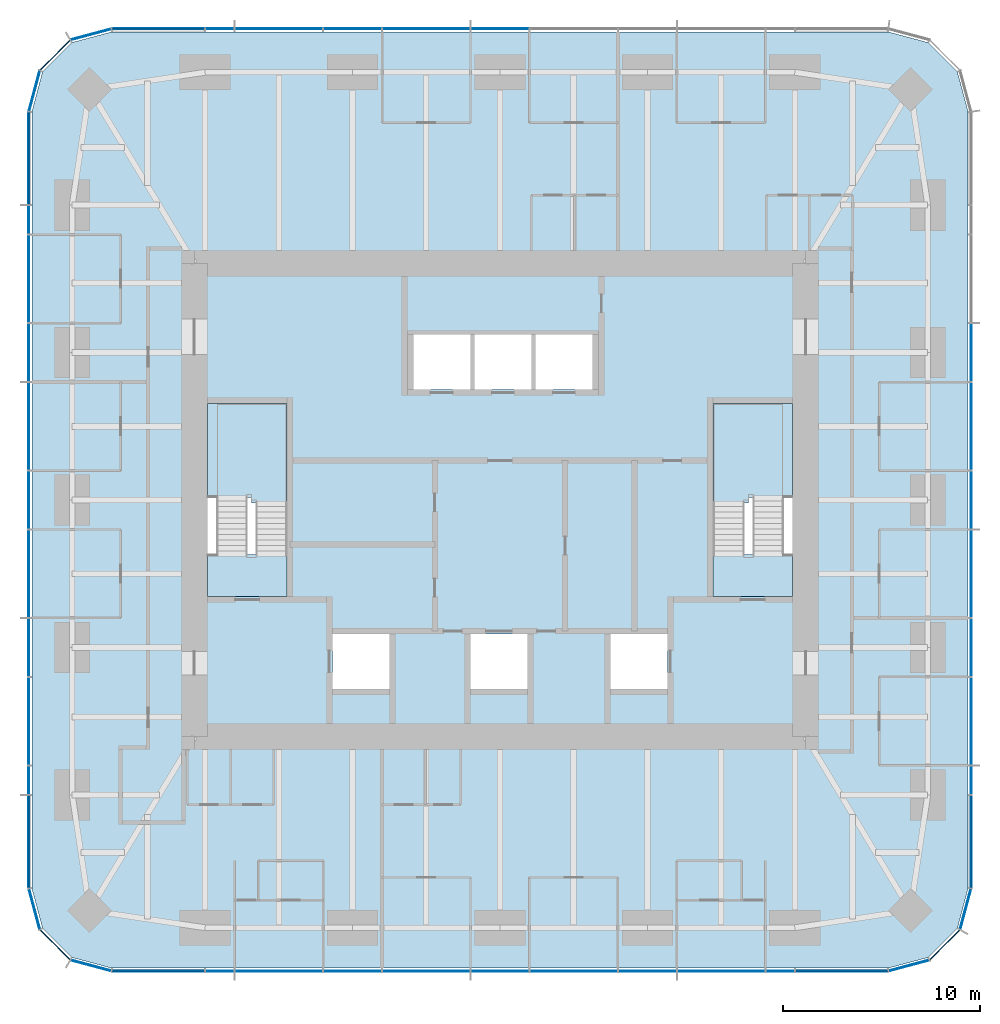
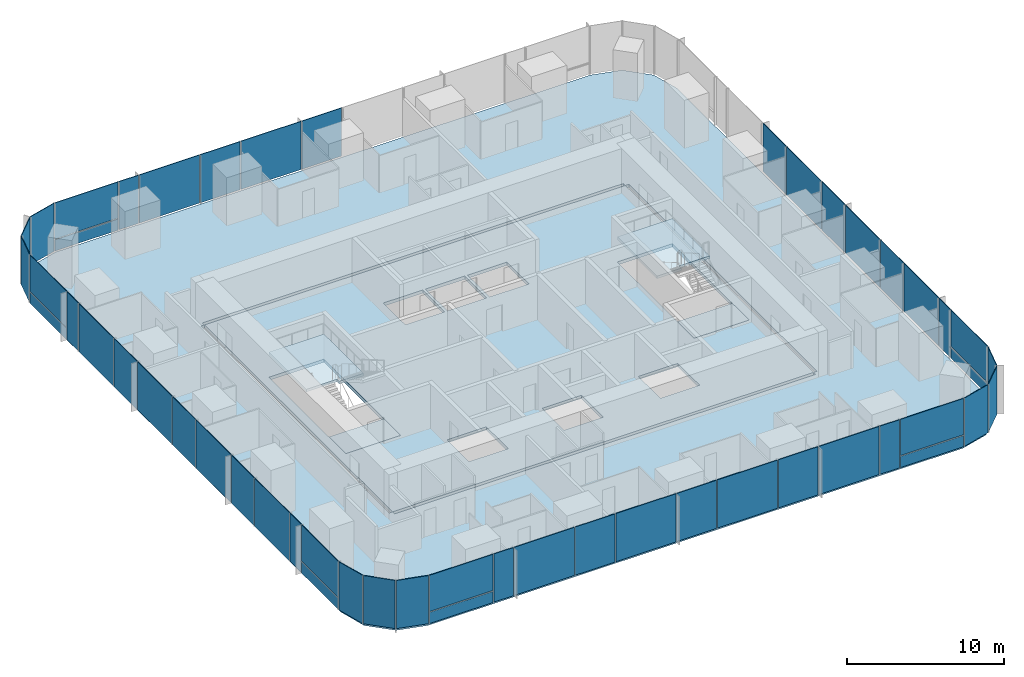
# One storey, part 7 of 12: 51 plates, 6 slabs, 9 elements without a shape of their own.
"""IFC4 building model written with IfcOpenShell, lengths in metres."""

from ifc_helpers import new_model, si_unit, direction, frame, origin, origin_2d, place, context, subcontext, project, spatial, polyline, rectangle, outline, extrude, material, layer, layer_set, type_object, element, aggregate, save


model = new_model("IFC4")

# Units and contexts
model_context = context("Model", 3, precision=1e-05, world=origin(), true_north=direction((0.0, 1.0)))
body_context = subcontext(model_context, "Body", "Model", "MODEL_VIEW")
ifc_project = project(units=[si_unit("LENGTHUNIT", "METRE"), si_unit("AREAUNIT", "SQUARE_METRE"), si_unit("VOLUMEUNIT", "CUBIC_METRE"), si_unit("PLANEANGLEUNIT", "RADIAN"), si_unit("MASSUNIT", "GRAM", prefix="KILO")], contexts=[model_context])

# Site, building, storey
site_placement = place(None, origin())
site = spatial("IfcSite", under=ifc_project, at=site_placement, CompositionType="ELEMENT")
building_placement = place(site_placement, origin())
building = spatial("IfcBuilding", under=site, at=building_placement, Name="Khuree Lantern Residences", CompositionType="ELEMENT")
storey_placement = place(building_placement, frame((0.0, 0.0, 293.25)))
storey = spatial("IfcBuildingStorey", under=building, at=storey_placement, Name="L73", CompositionType="ELEMENT", Elevation=293.25)

# Slab
ifc_material_1 = material(Name="Concrete C35/45", Category="concrete")
ifc_layer_1 = layer(ifc_material_1, 0.25)
ifc_layer_set_1 = layer_set([ifc_layer_1], Name="CFL250 CORE FLOOR SLAB 250")
slab_type_1 = type_object("IfcSlabType", Name="CFL250 CORE FLOOR SLAB 250", PredefinedType="FLOOR", material=ifc_layer_set_1)
slab_1_placement = place(storey_placement, frame((0.0, 0.0, -0.25)))
element("IfcSlab", 1, at=slab_1_placement, inside=storey, type_object=slab_type_1, Name="Core floor L73", PredefinedType="FLOOR", context=body_context, shape_type="SweptSolid", body=[
    extrude(outline(polyline([(-15.5, -12.0), (-15.5, 12.0), (15.5, 12.0), (15.5, -12.0), (-15.5, -12.0)]), holes=[polyline([(10.800048828125, 4.89990234375), (10.800048828125, -4.89990234375), (14.85009765625, -4.89990234375), (14.85009765625, 4.89990234375), (10.800048828125, 4.89990234375)]), polyline([(5.60009765625, -6.800048828125), (5.60009765625, -9.60009765625), (8.5, -9.60009765625), (8.5, -6.800048828125), (5.60009765625, -6.800048828125)]), polyline([(1.800048828125, 8.39990234375), (1.800048828125, 5.60009765625), (4.699951171875, 5.60009765625), (4.699951171875, 8.39990234375), (1.800048828125, 8.39990234375)]), polyline([(-1.300048828125, 8.39990234375), (-1.300048828125, 5.60009765625), (1.60009765625, 5.60009765625), (1.60009765625, 8.39990234375), (-1.300048828125, 8.39990234375)]), polyline([(-1.5, -6.800048828125), (-1.5, -9.60009765625), (1.39990234375, -9.60009765625), (1.39990234375, -6.800048828125), (-1.5, -6.800048828125)]), polyline([(-4.39990234375, 8.39990234375), (-4.39990234375, 5.60009765625), (-1.5, 5.60009765625), (-1.5, 8.39990234375), (-4.39990234375, 8.39990234375)]), polyline([(-8.5, -6.800048828125), (-8.5, -9.60009765625), (-5.60009765625, -9.60009765625), (-5.60009765625, -6.800048828125), (-8.5, -6.800048828125)]), polyline([(-14.85009765625, 4.89990234375), (-14.85009765625, -4.89990234375), (-10.800048828125, -4.89990234375), (-10.800048828125, 4.89990234375), (-14.85009765625, 4.89990234375)])]), origin(), (0.0, 0.0, 1.0), 0.25),
])

# Curtain wall, plates
ifc_material_2 = material(Name="Bronze anodised aluminium", Category="aluminium")
curtain_wall_type_1 = type_object("IfcCurtainWallType", Name="CW-T2 TOWER CORNER CURTAIN WALL", PredefinedType="USERDEFINED", material=ifc_material_2)
curtain_wall_1_placement = place(storey_placement, origin())
curtain_wall_1 = element("IfcCurtainWall", 2, at=curtain_wall_1_placement, inside=storey, type_object=curtain_wall_type_1, Name="L73 SOUTH-EAST CORNER CURTAIN WALL", ObjectType="Faceted corner curtain wall", PredefinedType="USERDEFINED")
ifc_material_3 = material(Name="Bronze tinted triple glazing", Category="glass")
ifc_layer_2 = layer(ifc_material_3, 0.048095703125)
ifc_layer_set_2 = layer_set([ifc_layer_2], Name="FACET PANEL P4")
plate_type_1 = type_object("IfcPlateType", Name="FACET PANEL P4", PredefinedType="CURTAIN_PANEL", material=ifc_layer_set_2)
plate_1_placement = place(storey_placement, frame((20.748046875, -23.619140625, 0.0), z_axis=(0.0, 0.0, 1.0), x_axis=(0.965925861257, 0.2588189146, 0.0)))
plate_1 = element("IfcPlate", 3, at=plate_1_placement, type_object=plate_type_1, Name="L73 SOUTH-EAST CORNER PANEL 1.1", PredefinedType="CURTAIN_PANEL", context=body_context, shape_type="SweptSolid", body=[
    extrude(rectangle(XDim=2.09814453125, YDim=0.048095703125, at=origin_2d()), origin(), (0.0, 0.0, 1.0), 3.75),
])
plate_2_placement = place(storey_placement, frame((22.568603515625, -22.568603515625, 0.0), z_axis=(0.0, 0.0, 1.0), x_axis=(0.707106781187, 0.707106781187, 0.0)))
plate_2 = element("IfcPlate", 4, at=plate_2_placement, type_object=plate_type_1, Name="L73 SOUTH-EAST CORNER PANEL 2.1", PredefinedType="CURTAIN_PANEL", context=body_context, shape_type="SweptSolid", body=[
    extrude(rectangle(XDim=2.093994140625, YDim=0.048095703125, at=origin_2d()), origin(), (0.0, 0.0, 1.0), 3.75),
])
plate_3_placement = place(storey_placement, frame((23.619140625, -20.748046875, 0.0), z_axis=(0.0, 0.0, 1.0), x_axis=(0.2588189146, 0.965925861257, 0.0)))
plate_3 = element("IfcPlate", 5, at=plate_3_placement, type_object=plate_type_1, Name="L73 SOUTH-EAST CORNER PANEL 3.1", PredefinedType="CURTAIN_PANEL", context=body_context, shape_type="SweptSolid", body=[
    extrude(rectangle(XDim=2.09814453125, YDim=0.048095703125, at=origin_2d()), origin(), (0.0, 0.0, 1.0), 3.75),
])
aggregate(curtain_wall_1, [plate_1, plate_2, plate_3])

curtain_wall_2_placement = place(storey_placement, origin())
curtain_wall_2 = element("IfcCurtainWall", 6, at=curtain_wall_2_placement, inside=storey, type_object=curtain_wall_type_1, Name="L73 NORTH-WEST CORNER CURTAIN WALL", ObjectType="Faceted corner curtain wall", PredefinedType="USERDEFINED")
plate_4_placement = place(storey_placement, frame((-20.748046875, 23.619140625, 0.0), z_axis=(0.0, 0.0, 1.0), x_axis=(-0.965925861257, -0.2588189146, 0.0)))
plate_4 = element("IfcPlate", 7, at=plate_4_placement, type_object=plate_type_1, Name="L73 NORTH-WEST CORNER PANEL 29.1", PredefinedType="CURTAIN_PANEL", context=body_context, shape_type="SweptSolid", body=[
    extrude(rectangle(XDim=2.09814453125, YDim=0.048095703125, at=origin_2d()), origin(), (0.0, 0.0, 1.0), 3.75),
])
plate_5_placement = place(storey_placement, frame((-22.568603515625, 22.568603515625, 0.0), z_axis=(0.0, 0.0, 1.0), x_axis=(-0.707106781187, -0.707106781187, 0.0)))
plate_5 = element("IfcPlate", 8, at=plate_5_placement, type_object=plate_type_1, Name="L73 NORTH-WEST CORNER PANEL 30.1", PredefinedType="CURTAIN_PANEL", context=body_context, shape_type="SweptSolid", body=[
    extrude(rectangle(XDim=2.093994140625, YDim=0.048095703125, at=origin_2d()), origin(), (0.0, 0.0, 1.0), 3.75),
])
plate_6_placement = place(storey_placement, frame((-23.619140625, 20.748046875, 0.0), z_axis=(0.0, 0.0, 1.0), x_axis=(-0.2588189146, -0.965925861257, 0.0)))
plate_6 = element("IfcPlate", 9, at=plate_6_placement, type_object=plate_type_1, Name="L73 NORTH-WEST CORNER PANEL 31.1", PredefinedType="CURTAIN_PANEL", context=body_context, shape_type="SweptSolid", body=[
    extrude(rectangle(XDim=2.09814453125, YDim=0.048095703125, at=origin_2d()), origin(), (0.0, 0.0, 1.0), 3.75),
])
aggregate(curtain_wall_2, [plate_4, plate_5, plate_6])

curtain_wall_3_placement = place(storey_placement, origin())
curtain_wall_3 = element("IfcCurtainWall", 10, at=curtain_wall_3_placement, inside=storey, type_object=curtain_wall_type_1, Name="L73 SOUTH-WEST CORNER CURTAIN WALL", ObjectType="Faceted corner curtain wall", PredefinedType="USERDEFINED")
plate_7_placement = place(storey_placement, frame((-23.619140625, -20.748046875, 0.0), z_axis=(0.0, 0.0, 1.0), x_axis=(0.2588189146, -0.965925861257, 0.0)))
plate_7 = element("IfcPlate", 11, at=plate_7_placement, type_object=plate_type_1, Name="L73 SOUTH-WEST CORNER PANEL 43.1", PredefinedType="CURTAIN_PANEL", context=body_context, shape_type="SweptSolid", body=[
    extrude(rectangle(XDim=2.09814453125, YDim=0.048095703125, at=origin_2d()), origin(), (0.0, 0.0, 1.0), 3.75),
])
plate_8_placement = place(storey_placement, frame((-22.568603515625, -22.568603515625, 0.0), z_axis=(0.0, 0.0, 1.0), x_axis=(0.707106781187, -0.707106781187, 0.0)))
plate_8 = element("IfcPlate", 12, at=plate_8_placement, type_object=plate_type_1, Name="L73 SOUTH-WEST CORNER PANEL 44.1", PredefinedType="CURTAIN_PANEL", context=body_context, shape_type="SweptSolid", body=[
    extrude(rectangle(XDim=2.093994140625, YDim=0.048095703125, at=origin_2d()), origin(), (0.0, 0.0, 1.0), 3.75),
])
plate_9_placement = place(storey_placement, frame((-20.748046875, -23.619140625, 0.0), z_axis=(0.0, 0.0, 1.0), x_axis=(0.965925861257, -0.2588189146, 0.0)))
plate_9 = element("IfcPlate", 13, at=plate_9_placement, type_object=plate_type_1, Name="L73 SOUTH-WEST CORNER PANEL 45.1", PredefinedType="CURTAIN_PANEL", context=body_context, shape_type="SweptSolid", body=[
    extrude(rectangle(XDim=2.09814453125, YDim=0.048095703125, at=origin_2d()), origin(), (0.0, 0.0, 1.0), 3.75),
])
aggregate(curtain_wall_3, [plate_7, plate_8, plate_9])

curtain_wall_type_2 = type_object("IfcCurtainWallType", Name="CW-T1 TOWER FACE CURTAIN WALL", PredefinedType="USERDEFINED", material=ifc_material_2)
curtain_wall_4_placement = place(storey_placement, origin())
curtain_wall_4 = element("IfcCurtainWall", 14, at=curtain_wall_4_placement, inside=storey, type_object=curtain_wall_type_2, Name="L73 EAST FACE CURTAIN WALL", ObjectType="Stick-built curtain wall", PredefinedType="USERDEFINED")
ifc_material_4 = material(Name="Bronze tinted triple glazing with a ceramic-fritted spandrel band", Category="glass")
ifc_layer_3 = layer(ifc_material_4, 0.048095703125)
ifc_layer_set_3 = layer_set([ifc_layer_3], Name="FIXED LIGHT PANEL P11")
plate_type_2 = type_object("IfcPlateType", Name="FIXED LIGHT PANEL P11", PredefinedType="CURTAIN_PANEL", material=ifc_layer_set_3)
plate_10_placement = place(storey_placement, frame((23.89990234375, -11.219970703125, 0.0), z_axis=(0.0, 0.0, 1.0), x_axis=(0.0, 1.0, 0.0)))
plate_10 = element("IfcPlate", 15, at=plate_10_placement, type_object=plate_type_2, Name="L73 EAST FACE PANEL 6.1", PredefinedType="CURTAIN_PANEL", context=body_context, shape_type="SweptSolid", body=[
    extrude(rectangle(XDim=4.423095703125, YDim=0.048095703125, at=origin_2d()), origin(), (0.0, 0.0, 1.0), 3.75),
])
plate_11_placement = place(storey_placement, frame((23.89990234375, -3.739990234375, 0.0), z_axis=(0.0, 0.0, 1.0), x_axis=(0.0, 1.0, 0.0)))
plate_11 = element("IfcPlate", 16, at=plate_11_placement, type_object=plate_type_2, Name="L73 EAST FACE PANEL 8.1", PredefinedType="CURTAIN_PANEL", context=body_context, shape_type="SweptSolid", body=[
    extrude(rectangle(XDim=4.423095703125, YDim=0.048095703125, at=origin_2d()), origin(), (0.0, 0.0, 1.0), 3.75),
])
plate_12_placement = place(storey_placement, frame((23.89990234375, 3.739990234375, 0.0), z_axis=(0.0, 0.0, 1.0), x_axis=(0.0, 1.0, 0.0)))
plate_12 = element("IfcPlate", 17, at=plate_12_placement, type_object=plate_type_2, Name="L73 EAST FACE PANEL 10.1", PredefinedType="CURTAIN_PANEL", context=body_context, shape_type="SweptSolid", body=[
    extrude(rectangle(XDim=4.423095703125, YDim=0.048095703125, at=origin_2d()), origin(), (0.0, 0.0, 1.0), 3.75),
])

curtain_wall_5_placement = place(storey_placement, origin())
curtain_wall_5 = element("IfcCurtainWall", 18, at=curtain_wall_5_placement, inside=storey, type_object=curtain_wall_type_2, Name="L73 NORTH FACE CURTAIN WALL", ObjectType="Stick-built curtain wall", PredefinedType="USERDEFINED")
plate_13_placement = place(storey_placement, frame((-3.739990234375, 23.89990234375, 0.0), z_axis=(0.0, 0.0, 1.0), x_axis=(-1.0, 0.0, 0.0)))
plate_13 = element("IfcPlate", 19, at=plate_13_placement, type_object=plate_type_2, Name="L73 NORTH FACE PANEL 24.1", PredefinedType="CURTAIN_PANEL", context=body_context, shape_type="SweptSolid", body=[
    extrude(rectangle(XDim=4.423095703125, YDim=0.048095703125, at=origin_2d()), origin(), (0.0, 0.0, 1.0), 3.75),
])
plate_14_placement = place(storey_placement, frame((-11.219970703125, 23.89990234375, 0.0), z_axis=(0.0, 0.0, 1.0), x_axis=(-1.0, 0.0, 0.0)))
plate_14 = element("IfcPlate", 20, at=plate_14_placement, type_object=plate_type_2, Name="L73 NORTH FACE PANEL 26.1", PredefinedType="CURTAIN_PANEL", context=body_context, shape_type="SweptSolid", body=[
    extrude(rectangle(XDim=4.423095703125, YDim=0.048095703125, at=origin_2d()), origin(), (0.0, 0.0, 1.0), 3.75),
])

curtain_wall_6_placement = place(storey_placement, origin())
curtain_wall_6 = element("IfcCurtainWall", 21, at=curtain_wall_6_placement, inside=storey, type_object=curtain_wall_type_2, Name="L73 WEST FACE CURTAIN WALL", ObjectType="Stick-built curtain wall", PredefinedType="USERDEFINED")
plate_15_placement = place(storey_placement, frame((-23.89990234375, 11.219970703125, 0.0), z_axis=(0.0, 0.0, 1.0), x_axis=(0.0, -1.0, 0.0)))
plate_15 = element("IfcPlate", 22, at=plate_15_placement, type_object=plate_type_2, Name="L73 WEST FACE PANEL 34.1", PredefinedType="CURTAIN_PANEL", context=body_context, shape_type="SweptSolid", body=[
    extrude(rectangle(XDim=4.423095703125, YDim=0.048095703125, at=origin_2d()), origin(), (0.0, 0.0, 1.0), 3.75),
])
plate_16_placement = place(storey_placement, frame((-23.89990234375, 3.739990234375, 0.0), z_axis=(0.0, 0.0, 1.0), x_axis=(0.0, -1.0, 0.0)))
plate_16 = element("IfcPlate", 23, at=plate_16_placement, type_object=plate_type_2, Name="L73 WEST FACE PANEL 36.1", PredefinedType="CURTAIN_PANEL", context=body_context, shape_type="SweptSolid", body=[
    extrude(rectangle(XDim=4.423095703125, YDim=0.048095703125, at=origin_2d()), origin(), (0.0, 0.0, 1.0), 3.75),
])
plate_17_placement = place(storey_placement, frame((-23.89990234375, -3.739990234375, 0.0), z_axis=(0.0, 0.0, 1.0), x_axis=(0.0, -1.0, 0.0)))
plate_17 = element("IfcPlate", 24, at=plate_17_placement, type_object=plate_type_2, Name="L73 WEST FACE PANEL 38.1", PredefinedType="CURTAIN_PANEL", context=body_context, shape_type="SweptSolid", body=[
    extrude(rectangle(XDim=4.423095703125, YDim=0.048095703125, at=origin_2d()), origin(), (0.0, 0.0, 1.0), 3.75),
])
plate_18_placement = place(storey_placement, frame((-23.89990234375, -11.219970703125, 0.0), z_axis=(0.0, 0.0, 1.0), x_axis=(0.0, -1.0, 0.0)))
plate_18 = element("IfcPlate", 25, at=plate_18_placement, type_object=plate_type_2, Name="L73 WEST FACE PANEL 40.1", PredefinedType="CURTAIN_PANEL", context=body_context, shape_type="SweptSolid", body=[
    extrude(rectangle(XDim=4.423095703125, YDim=0.048095703125, at=origin_2d()), origin(), (0.0, 0.0, 1.0), 3.75),
])

curtain_wall_7_placement = place(storey_placement, origin())
curtain_wall_7 = element("IfcCurtainWall", 26, at=curtain_wall_7_placement, inside=storey, type_object=curtain_wall_type_2, Name="L73 SOUTH FACE CURTAIN WALL", ObjectType="Stick-built curtain wall", PredefinedType="USERDEFINED")
plate_19_placement = place(storey_placement, frame((-11.219970703125, -23.89990234375, 0.0), z_axis=(0.0, 0.0, 1.0), x_axis=(1.0, 0.0, 0.0)))
plate_19 = element("IfcPlate", 27, at=plate_19_placement, type_object=plate_type_2, Name="L73 SOUTH FACE PANEL 48.1", PredefinedType="CURTAIN_PANEL", context=body_context, shape_type="SweptSolid", body=[
    extrude(rectangle(XDim=4.423095703125, YDim=0.048095703125, at=origin_2d()), origin(), (0.0, 0.0, 1.0), 3.75),
])
plate_20_placement = place(storey_placement, frame((-3.739990234375, -23.89990234375, 0.0), z_axis=(0.0, 0.0, 1.0), x_axis=(1.0, 0.0, 0.0)))
plate_20 = element("IfcPlate", 28, at=plate_20_placement, type_object=plate_type_2, Name="L73 SOUTH FACE PANEL 50.1", PredefinedType="CURTAIN_PANEL", context=body_context, shape_type="SweptSolid", body=[
    extrude(rectangle(XDim=4.423095703125, YDim=0.048095703125, at=origin_2d()), origin(), (0.0, 0.0, 1.0), 3.75),
])
plate_21_placement = place(storey_placement, frame((3.739990234375, -23.89990234375, 0.0), z_axis=(0.0, 0.0, 1.0), x_axis=(1.0, 0.0, 0.0)))
plate_21 = element("IfcPlate", 29, at=plate_21_placement, type_object=plate_type_2, Name="L73 SOUTH FACE PANEL 52.1", PredefinedType="CURTAIN_PANEL", context=body_context, shape_type="SweptSolid", body=[
    extrude(rectangle(XDim=4.423095703125, YDim=0.048095703125, at=origin_2d()), origin(), (0.0, 0.0, 1.0), 3.75),
])
plate_22_placement = place(storey_placement, frame((11.219970703125, -23.89990234375, 0.0), z_axis=(0.0, 0.0, 1.0), x_axis=(1.0, 0.0, 0.0)))
plate_22 = element("IfcPlate", 30, at=plate_22_placement, type_object=plate_type_2, Name="L73 SOUTH FACE PANEL 54.1", PredefinedType="CURTAIN_PANEL", context=body_context, shape_type="SweptSolid", body=[
    extrude(rectangle(XDim=4.423095703125, YDim=0.048095703125, at=origin_2d()), origin(), (0.0, 0.0, 1.0), 3.75),
])

# Slab
ifc_layer_4 = layer(ifc_material_1, 0.25)
ifc_layer_set_4 = layer_set([ifc_layer_4], Name="FS250 FLOOR SLAB 250")
slab_type_2 = type_object("IfcSlabType", Name="FS250 FLOOR SLAB 250", PredefinedType="FLOOR", material=ifc_layer_set_4)
slab_2_placement = place(storey_placement, frame((0.0, 0.0, -0.25)))
element("IfcSlab", 31, at=slab_2_placement, inside=storey, type_object=slab_type_2, Name="Floor slab L73", PredefinedType="FLOOR", context=body_context, shape_type="SweptSolid", body=[
    extrude(outline(polyline([(-21.72509765625, -23.20751953125), (-23.20751953125, -21.72509765625), (-23.75, -19.699951171875), (-23.75, 19.699951171875), (-23.20751953125, 21.72509765625), (-21.72509765625, 23.20751953125), (-19.699951171875, 23.75), (19.699951171875, 23.75), (21.72509765625, 23.20751953125), (23.20751953125, 21.72509765625), (23.75, 19.699951171875), (23.75, -19.699951171875), (23.20751953125, -21.72509765625), (21.72509765625, -23.20751953125), (19.699951171875, -23.75), (-19.699951171875, -23.75), (-21.72509765625, -23.20751953125)]), holes=[polyline([(15.75, 12.0), (15.5, 12.0), (15.5, 12.25), (-15.5, 12.25), (-15.5, 12.0), (-15.75, 12.0), (-15.75, -12.0), (-15.5, -12.0), (-15.5, -12.25), (15.5, -12.25), (15.5, -12.0), (15.75, -12.0), (15.75, 12.0)])]), origin(), (0.0, 0.0, 1.0), 0.25),
])

# Plate
ifc_material_5 = material(Name="Bronze tinted triple glazing, two aluminium-framed sashes in one frame", Category="aluminium")
ifc_layer_5 = layer(ifc_material_5, 0.048095703125)
ifc_layer_set_5 = layer_set([ifc_layer_5], Name="SASH PAIR PANEL P12")
plate_type_3 = type_object("IfcPlateType", Name="SASH PAIR PANEL P12", PredefinedType="CURTAIN_PANEL", material=ifc_layer_set_5)
plate_23_placement = place(storey_placement, frame((23.89990234375, -7.47998046875, 0.0), z_axis=(0.0, 0.0, 1.0), x_axis=(0.0, 1.0, 0.0)))
plate_23 = element("IfcPlate", 32, at=plate_23_placement, type_object=plate_type_3, Name="L73 EAST FACE PANEL 7.1", PredefinedType="CURTAIN_PANEL", context=body_context, shape_type="SweptSolid", body=[
    extrude(rectangle(XDim=2.927001953125, YDim=0.048095703125, at=origin_2d()), origin(), (0.0, 0.0, 1.0), 3.75),
])

plate_24_placement = place(storey_placement, frame((23.89990234375, 0.0, 0.0), z_axis=(0.0, 0.0, 1.0), x_axis=(0.0, 1.0, 0.0)))
plate_24 = element("IfcPlate", 33, at=plate_24_placement, type_object=plate_type_3, Name="L73 EAST FACE PANEL 9.1", PredefinedType="CURTAIN_PANEL", context=body_context, shape_type="SweptSolid", body=[
    extrude(rectangle(XDim=2.927001953125, YDim=0.048095703125, at=origin_2d()), origin(), (0.0, 0.0, 1.0), 3.75),
])

plate_25_placement = place(storey_placement, frame((23.89990234375, 7.47998046875, 0.0), z_axis=(0.0, 0.0, 1.0), x_axis=(0.0, 1.0, 0.0)))
plate_25 = element("IfcPlate", 34, at=plate_25_placement, type_object=plate_type_3, Name="L73 EAST FACE PANEL 11.1", PredefinedType="CURTAIN_PANEL", context=body_context, shape_type="SweptSolid", body=[
    extrude(rectangle(XDim=2.927001953125, YDim=0.048095703125, at=origin_2d()), origin(), (0.0, 0.0, 1.0), 3.75),
])

plate_26_placement = place(storey_placement, frame((0.0, 23.89990234375, 0.0), z_axis=(0.0, 0.0, 1.0), x_axis=(-1.0, 0.0, 0.0)))
plate_26 = element("IfcPlate", 35, at=plate_26_placement, type_object=plate_type_3, Name="L73 NORTH FACE PANEL 23.1", PredefinedType="CURTAIN_PANEL", context=body_context, shape_type="SweptSolid", body=[
    extrude(rectangle(XDim=2.927001953125, YDim=0.048095703125, at=origin_2d()), origin(), (0.0, 0.0, 1.0), 3.75),
])

plate_27_placement = place(storey_placement, frame((-7.47998046875, 23.89990234375, 0.0), z_axis=(0.0, 0.0, 1.0), x_axis=(-1.0, 0.0, 0.0)))
plate_27 = element("IfcPlate", 36, at=plate_27_placement, type_object=plate_type_3, Name="L73 NORTH FACE PANEL 25.1", PredefinedType="CURTAIN_PANEL", context=body_context, shape_type="SweptSolid", body=[
    extrude(rectangle(XDim=2.927001953125, YDim=0.048095703125, at=origin_2d()), origin(), (0.0, 0.0, 1.0), 3.75),
])

plate_28_placement = place(storey_placement, frame((-23.89990234375, 7.47998046875, 0.0), z_axis=(0.0, 0.0, 1.0), x_axis=(0.0, -1.0, 0.0)))
plate_28 = element("IfcPlate", 37, at=plate_28_placement, type_object=plate_type_3, Name="L73 WEST FACE PANEL 35.1", PredefinedType="CURTAIN_PANEL", context=body_context, shape_type="SweptSolid", body=[
    extrude(rectangle(XDim=2.927001953125, YDim=0.048095703125, at=origin_2d()), origin(), (0.0, 0.0, 1.0), 3.75),
])

plate_29_placement = place(storey_placement, frame((-23.89990234375, 0.0, 0.0), z_axis=(0.0, 0.0, 1.0), x_axis=(0.0, -1.0, 0.0)))
plate_29 = element("IfcPlate", 38, at=plate_29_placement, type_object=plate_type_3, Name="L73 WEST FACE PANEL 37.1", PredefinedType="CURTAIN_PANEL", context=body_context, shape_type="SweptSolid", body=[
    extrude(rectangle(XDim=2.927001953125, YDim=0.048095703125, at=origin_2d()), origin(), (0.0, 0.0, 1.0), 3.75),
])

plate_30_placement = place(storey_placement, frame((-23.89990234375, -7.47998046875, 0.0), z_axis=(0.0, 0.0, 1.0), x_axis=(0.0, -1.0, 0.0)))
plate_30 = element("IfcPlate", 39, at=plate_30_placement, type_object=plate_type_3, Name="L73 WEST FACE PANEL 39.1", PredefinedType="CURTAIN_PANEL", context=body_context, shape_type="SweptSolid", body=[
    extrude(rectangle(XDim=2.927001953125, YDim=0.048095703125, at=origin_2d()), origin(), (0.0, 0.0, 1.0), 3.75),
])

plate_31_placement = place(storey_placement, frame((-7.47998046875, -23.89990234375, 0.0), z_axis=(0.0, 0.0, 1.0), x_axis=(1.0, 0.0, 0.0)))
plate_31 = element("IfcPlate", 40, at=plate_31_placement, type_object=plate_type_3, Name="L73 SOUTH FACE PANEL 49.1", PredefinedType="CURTAIN_PANEL", context=body_context, shape_type="SweptSolid", body=[
    extrude(rectangle(XDim=2.927001953125, YDim=0.048095703125, at=origin_2d()), origin(), (0.0, 0.0, 1.0), 3.75),
])

plate_32_placement = place(storey_placement, frame((0.0, -23.89990234375, 0.0), z_axis=(0.0, 0.0, 1.0), x_axis=(1.0, 0.0, 0.0)))
plate_32 = element("IfcPlate", 41, at=plate_32_placement, type_object=plate_type_3, Name="L73 SOUTH FACE PANEL 51.1", PredefinedType="CURTAIN_PANEL", context=body_context, shape_type="SweptSolid", body=[
    extrude(rectangle(XDim=2.927001953125, YDim=0.048095703125, at=origin_2d()), origin(), (0.0, 0.0, 1.0), 3.75),
])

plate_33_placement = place(storey_placement, frame((7.47998046875, -23.89990234375, 0.0), z_axis=(0.0, 0.0, 1.0), x_axis=(1.0, 0.0, 0.0)))
plate_33 = element("IfcPlate", 42, at=plate_33_placement, type_object=plate_type_3, Name="L73 SOUTH FACE PANEL 53.1", PredefinedType="CURTAIN_PANEL", context=body_context, shape_type="SweptSolid", body=[
    extrude(rectangle(XDim=2.927001953125, YDim=0.048095703125, at=origin_2d()), origin(), (0.0, 0.0, 1.0), 3.75),
])

ifc_material_6 = material(Name="Bronze tinted triple glazing, aluminium-framed sash", Category="aluminium")
ifc_layer_6 = layer(ifc_material_6, 0.048095703125)
ifc_layer_set_6 = layer_set([ifc_layer_6], Name="SASH PANEL P3")
plate_type_4 = type_object("IfcPlateType", Name="SASH PANEL P3", PredefinedType="CURTAIN_PANEL", material=ifc_layer_set_6)
plate_34_placement = place(storey_placement, frame((23.89990234375, -14.2119140625, 0.0), z_axis=(0.0, 0.0, 1.0), x_axis=(0.0, 1.0, 0.0)))
plate_34 = element("IfcPlate", 43, at=plate_34_placement, type_object=plate_type_4, Name="L73 EAST FACE PANEL 5.1", PredefinedType="CURTAIN_PANEL", context=body_context, shape_type="SweptSolid", body=[
    extrude(rectangle(XDim=1.430908203125, YDim=0.048095703125, at=origin_2d()), origin(), (0.0, 0.0, 1.0), 3.75),
])

plate_35_placement = place(storey_placement, frame((-14.2119140625, 23.89990234375, 0.0), z_axis=(0.0, 0.0, 1.0), x_axis=(-1.0, 0.0, 0.0)))
plate_35 = element("IfcPlate", 44, at=plate_35_placement, type_object=plate_type_4, Name="L73 NORTH FACE PANEL 27.1", PredefinedType="CURTAIN_PANEL", context=body_context, shape_type="SweptSolid", body=[
    extrude(rectangle(XDim=1.430908203125, YDim=0.048095703125, at=origin_2d()), origin(), (0.0, 0.0, 1.0), 3.75),
])

plate_36_placement = place(storey_placement, frame((-23.89990234375, 14.2119140625, 0.0), z_axis=(0.0, 0.0, 1.0), x_axis=(0.0, -1.0, 0.0)))
plate_36 = element("IfcPlate", 45, at=plate_36_placement, type_object=plate_type_4, Name="L73 WEST FACE PANEL 33.1", PredefinedType="CURTAIN_PANEL", context=body_context, shape_type="SweptSolid", body=[
    extrude(rectangle(XDim=1.430908203125, YDim=0.048095703125, at=origin_2d()), origin(), (0.0, 0.0, 1.0), 3.75),
])

plate_37_placement = place(storey_placement, frame((-23.89990234375, -14.2119140625, 0.0), z_axis=(0.0, 0.0, 1.0), x_axis=(0.0, -1.0, 0.0)))
plate_37 = element("IfcPlate", 46, at=plate_37_placement, type_object=plate_type_4, Name="L73 WEST FACE PANEL 41.1", PredefinedType="CURTAIN_PANEL", context=body_context, shape_type="SweptSolid", body=[
    extrude(rectangle(XDim=1.430908203125, YDim=0.048095703125, at=origin_2d()), origin(), (0.0, 0.0, 1.0), 3.75),
])

plate_38_placement = place(storey_placement, frame((-14.2119140625, -23.89990234375, 0.0), z_axis=(0.0, 0.0, 1.0), x_axis=(1.0, 0.0, 0.0)))
plate_38 = element("IfcPlate", 47, at=plate_38_placement, type_object=plate_type_4, Name="L73 SOUTH FACE PANEL 47.1", PredefinedType="CURTAIN_PANEL", context=body_context, shape_type="SweptSolid", body=[
    extrude(rectangle(XDim=1.430908203125, YDim=0.048095703125, at=origin_2d()), origin(), (0.0, 0.0, 1.0), 3.75),
])

plate_39_placement = place(storey_placement, frame((14.2119140625, -23.89990234375, 0.0), z_axis=(0.0, 0.0, 1.0), x_axis=(1.0, 0.0, 0.0)))
plate_39 = element("IfcPlate", 48, at=plate_39_placement, type_object=plate_type_4, Name="L73 SOUTH FACE PANEL 55.1", PredefinedType="CURTAIN_PANEL", context=body_context, shape_type="SweptSolid", body=[
    extrude(rectangle(XDim=1.430908203125, YDim=0.048095703125, at=origin_2d()), origin(), (0.0, 0.0, 1.0), 3.75),
])

ifc_material_7 = material(Name="Bronze anodised aluminium insulated spandrel", Category="aluminium")
ifc_layer_7 = layer(ifc_material_7, 0.06005859375)
ifc_layer_set_7 = layer_set([ifc_layer_7], Name="SPANDREL PANEL P2")
plate_type_5 = type_object("IfcPlateType", Name="SPANDREL PANEL P2", PredefinedType="CURTAIN_PANEL", material=ifc_layer_set_7)
plate_40_placement = place(storey_placement, frame((23.89990234375, -17.327880859375, 0.0), z_axis=(0.0, 0.0, 1.0), x_axis=(0.0, 1.0, 0.0)))
plate_40 = element("IfcPlate", 49, at=plate_40_placement, type_object=plate_type_5, Name="L73 EAST FACE PANEL 4.1", PredefinedType="CURTAIN_PANEL", context=body_context, shape_type="SweptSolid", body=[
    extrude(rectangle(XDim=4.670654296875, YDim=0.06005859375, at=origin_2d()), origin(), (0.0, 0.0, 1.0), 0.867431640625),
])

plate_41_placement = place(storey_placement, frame((-17.327880859375, 23.89990234375, 0.0), z_axis=(0.0, 0.0, 1.0), x_axis=(-1.0, 0.0, 0.0)))
plate_41 = element("IfcPlate", 50, at=plate_41_placement, type_object=plate_type_5, Name="L73 NORTH FACE PANEL 28.1", PredefinedType="CURTAIN_PANEL", context=body_context, shape_type="SweptSolid", body=[
    extrude(rectangle(XDim=4.670654296875, YDim=0.06005859375, at=origin_2d()), origin(), (0.0, 0.0, 1.0), 0.867431640625),
])

plate_42_placement = place(storey_placement, frame((-23.89990234375, 17.327880859375, 0.0), z_axis=(0.0, 0.0, 1.0), x_axis=(0.0, -1.0, 0.0)))
plate_42 = element("IfcPlate", 51, at=plate_42_placement, type_object=plate_type_5, Name="L73 WEST FACE PANEL 32.1", PredefinedType="CURTAIN_PANEL", context=body_context, shape_type="SweptSolid", body=[
    extrude(rectangle(XDim=4.670654296875, YDim=0.06005859375, at=origin_2d()), origin(), (0.0, 0.0, 1.0), 0.867431640625),
])

plate_43_placement = place(storey_placement, frame((-23.89990234375, -17.327880859375, 0.0), z_axis=(0.0, 0.0, 1.0), x_axis=(0.0, -1.0, 0.0)))
plate_43 = element("IfcPlate", 52, at=plate_43_placement, type_object=plate_type_5, Name="L73 WEST FACE PANEL 42.1", PredefinedType="CURTAIN_PANEL", context=body_context, shape_type="SweptSolid", body=[
    extrude(rectangle(XDim=4.670654296875, YDim=0.06005859375, at=origin_2d()), origin(), (0.0, 0.0, 1.0), 0.867431640625),
])

plate_44_placement = place(storey_placement, frame((-17.327880859375, -23.89990234375, 0.0), z_axis=(0.0, 0.0, 1.0), x_axis=(1.0, 0.0, 0.0)))
plate_44 = element("IfcPlate", 53, at=plate_44_placement, type_object=plate_type_5, Name="L73 SOUTH FACE PANEL 46.1", PredefinedType="CURTAIN_PANEL", context=body_context, shape_type="SweptSolid", body=[
    extrude(rectangle(XDim=4.670654296875, YDim=0.06005859375, at=origin_2d()), origin(), (0.0, 0.0, 1.0), 0.867431640625),
])

plate_45_placement = place(storey_placement, frame((17.327880859375, -23.89990234375, 0.0), z_axis=(0.0, 0.0, 1.0), x_axis=(1.0, 0.0, 0.0)))
plate_45 = element("IfcPlate", 54, at=plate_45_placement, type_object=plate_type_5, Name="L73 SOUTH FACE PANEL 56.1", PredefinedType="CURTAIN_PANEL", context=body_context, shape_type="SweptSolid", body=[
    extrude(rectangle(XDim=4.670654296875, YDim=0.06005859375, at=origin_2d()), origin(), (0.0, 0.0, 1.0), 0.867431640625),
])

# Stair, slabs
ifc_material_8 = material(Name="Concrete C40/50", Category="concrete")
stair_type = type_object("IfcStairType", Name="STAIR ST1 HALF TURN 3600", PredefinedType="HALF_TURN_STAIR", material=ifc_material_8)
stair_1_placement = place(storey_placement, origin())
stair_1 = element("IfcStair", 55, at=stair_1_placement, inside=storey, type_object=stair_type, Name="Stair ST1", PredefinedType="HALF_TURN_STAIR")
ifc_layer_8 = layer(ifc_material_8, 0.199951171875)
ifc_layer_set_8 = layer_set([ifc_layer_8], Name="STAIR LANDING SL1 200")
slab_type_3 = type_object("IfcSlabType", Name="STAIR LANDING SL1 200", PredefinedType="LANDING", material=ifc_layer_set_8)
slab_3_placement = place(storey_placement, frame((0.0, 0.0, -0.199951171875)))
slab_3 = element("IfcSlab", 56, at=slab_3_placement, type_object=slab_type_3, Name="ST1 landing 1", PredefinedType="LANDING", context=body_context, shape_type="SweptSolid", body=[
    extrude(outline(polyline([(-14.85009765625, -4.89990234375), (-10.800048828125, -4.89990234375), (-10.800048828125, -2.760009765625), (-14.85009765625, -2.760009765625), (-14.85009765625, -4.89990234375)])), origin(), (0.0, 0.0, 1.0), 0.199951171875),
])
slab_4_placement = place(storey_placement, frame((0.0, 0.0, 1.756591796875)))
slab_4 = element("IfcSlab", 57, at=slab_4_placement, type_object=slab_type_3, Name="ST1 landing 2", PredefinedType="LANDING", context=body_context, shape_type="SweptSolid", body=[
    extrude(outline(polyline([(-14.85009765625, 0.1201171875), (-14.85009765625, 4.89990234375), (-10.800048828125, 4.89990234375), (-10.800048828125, -0.159912109375), (-12.60009765625, -0.159912109375), (-12.60009765625, 0.1201171875), (-14.85009765625, 0.1201171875)])), origin(), (0.0, 0.0, 1.0), 0.199951171875),
])
aggregate(stair_1, [slab_3, slab_4])

stair_2_placement = place(storey_placement, origin())
stair_2 = element("IfcStair", 58, at=stair_2_placement, inside=storey, type_object=stair_type, Name="Stair ST2", PredefinedType="HALF_TURN_STAIR")
slab_5_placement = place(storey_placement, frame((0.0, 0.0, -0.199951171875)))
slab_5 = element("IfcSlab", 59, at=slab_5_placement, type_object=slab_type_3, Name="ST2 landing 1", PredefinedType="LANDING", context=body_context, shape_type="SweptSolid", body=[
    extrude(outline(polyline([(10.800048828125, -4.89990234375), (14.85009765625, -4.89990234375), (14.85009765625, -2.760009765625), (10.800048828125, -2.760009765625), (10.800048828125, -4.89990234375)])), origin(), (0.0, 0.0, 1.0), 0.199951171875),
])
slab_6_placement = place(storey_placement, frame((0.0, 0.0, 1.756591796875)))
slab_6 = element("IfcSlab", 60, at=slab_6_placement, type_object=slab_type_3, Name="ST2 landing 2", PredefinedType="LANDING", context=body_context, shape_type="SweptSolid", body=[
    extrude(outline(polyline([(14.85009765625, 4.89990234375), (14.85009765625, 0.1201171875), (12.60009765625, 0.1201171875), (12.60009765625, -0.159912109375), (10.800048828125, -0.159912109375), (10.800048828125, 4.89990234375), (14.85009765625, 4.89990234375)])), origin(), (0.0, 0.0, 1.0), 0.199951171875),
])
aggregate(stair_2, [slab_5, slab_6])

# Plate
ifc_layer_9 = layer(ifc_material_3, 0.048095703125)
ifc_layer_set_9 = layer_set([ifc_layer_9], Name="VISION PANEL P1")
plate_type_6 = type_object("IfcPlateType", Name="VISION PANEL P1", PredefinedType="CURTAIN_PANEL", material=ifc_layer_set_9)
plate_46_placement = place(storey_placement, frame((23.89990234375, -17.328369140625, 0.9326171875), z_axis=(0.0, 0.0, 1.0), x_axis=(0.0, 1.0, 0.0)))
plate_46 = element("IfcPlate", 61, at=plate_46_placement, type_object=plate_type_6, Name="L73 EAST FACE PANEL 4.2", PredefinedType="CURTAIN_PANEL", context=body_context, shape_type="SweptSolid", body=[
    extrude(rectangle(XDim=4.671630859375, YDim=0.048095703125, at=origin_2d()), origin(), (0.0, 0.0, 1.0), 2.8173828125),
])

aggregate(curtain_wall_4, [plate_40, plate_46, plate_34, plate_10, plate_23, plate_11, plate_24, plate_12, plate_25])

plate_47_placement = place(storey_placement, frame((-17.328369140625, 23.89990234375, 0.9326171875), z_axis=(0.0, 0.0, 1.0), x_axis=(-1.0, 0.0, 0.0)))
plate_47 = element("IfcPlate", 62, at=plate_47_placement, type_object=plate_type_6, Name="L73 NORTH FACE PANEL 28.2", PredefinedType="CURTAIN_PANEL", context=body_context, shape_type="SweptSolid", body=[
    extrude(rectangle(XDim=4.671630859375, YDim=0.048095703125, at=origin_2d()), origin(), (0.0, 0.0, 1.0), 2.8173828125),
])

aggregate(curtain_wall_5, [plate_26, plate_13, plate_27, plate_14, plate_35, plate_41, plate_47])

plate_48_placement = place(storey_placement, frame((-23.89990234375, 17.328369140625, 0.9326171875), z_axis=(0.0, 0.0, 1.0), x_axis=(0.0, -1.0, 0.0)))
plate_48 = element("IfcPlate", 63, at=plate_48_placement, type_object=plate_type_6, Name="L73 WEST FACE PANEL 32.2", PredefinedType="CURTAIN_PANEL", context=body_context, shape_type="SweptSolid", body=[
    extrude(rectangle(XDim=4.671630859375, YDim=0.048095703125, at=origin_2d()), origin(), (0.0, 0.0, 1.0), 2.8173828125),
])

plate_49_placement = place(storey_placement, frame((-23.89990234375, -17.328369140625, 0.9326171875), z_axis=(0.0, 0.0, 1.0), x_axis=(0.0, -1.0, 0.0)))
plate_49 = element("IfcPlate", 64, at=plate_49_placement, type_object=plate_type_6, Name="L73 WEST FACE PANEL 42.2", PredefinedType="CURTAIN_PANEL", context=body_context, shape_type="SweptSolid", body=[
    extrude(rectangle(XDim=4.671630859375, YDim=0.048095703125, at=origin_2d()), origin(), (0.0, 0.0, 1.0), 2.8173828125),
])

aggregate(curtain_wall_6, [plate_42, plate_48, plate_36, plate_15, plate_28, plate_16, plate_29, plate_17, plate_30, plate_18, plate_37, plate_43, plate_49])

plate_50_placement = place(storey_placement, frame((-17.328369140625, -23.89990234375, 0.9326171875), z_axis=(0.0, 0.0, 1.0), x_axis=(1.0, 0.0, 0.0)))
plate_50 = element("IfcPlate", 65, at=plate_50_placement, type_object=plate_type_6, Name="L73 SOUTH FACE PANEL 46.2", PredefinedType="CURTAIN_PANEL", context=body_context, shape_type="SweptSolid", body=[
    extrude(rectangle(XDim=4.671630859375, YDim=0.048095703125, at=origin_2d()), origin(), (0.0, 0.0, 1.0), 2.8173828125),
])

plate_51_placement = place(storey_placement, frame((17.328369140625, -23.89990234375, 0.9326171875), z_axis=(0.0, 0.0, 1.0), x_axis=(1.0, 0.0, 0.0)))
plate_51 = element("IfcPlate", 66, at=plate_51_placement, type_object=plate_type_6, Name="L73 SOUTH FACE PANEL 56.2", PredefinedType="CURTAIN_PANEL", context=body_context, shape_type="SweptSolid", body=[
    extrude(rectangle(XDim=4.671630859375, YDim=0.048095703125, at=origin_2d()), origin(), (0.0, 0.0, 1.0), 2.8173828125),
])

aggregate(curtain_wall_7, [plate_44, plate_50, plate_38, plate_19, plate_31, plate_20, plate_32, plate_21, plate_33, plate_22, plate_39, plate_45, plate_51])

save(model, "model.ifc")
